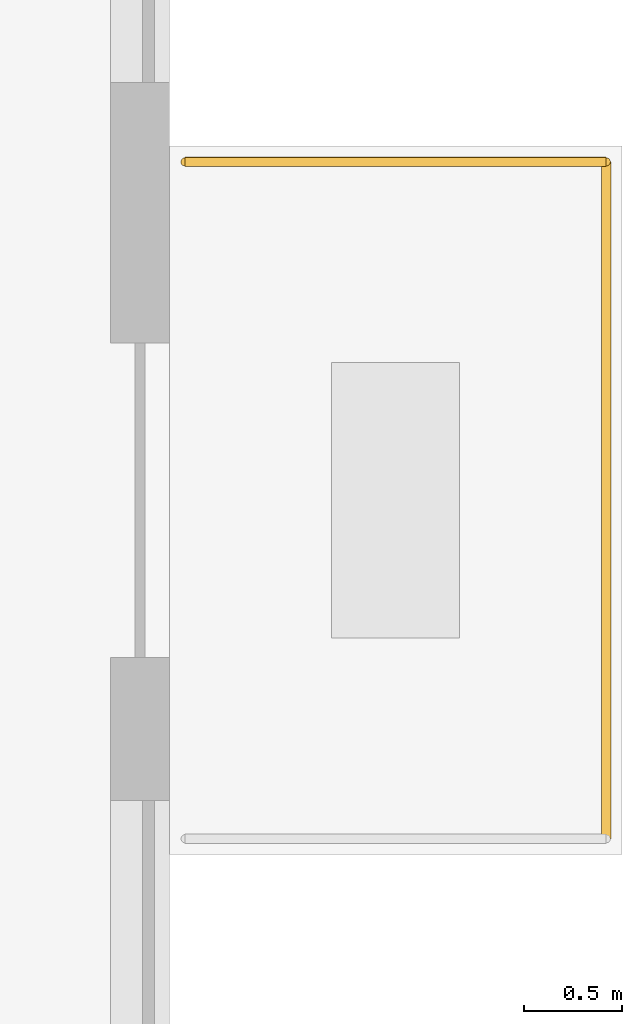
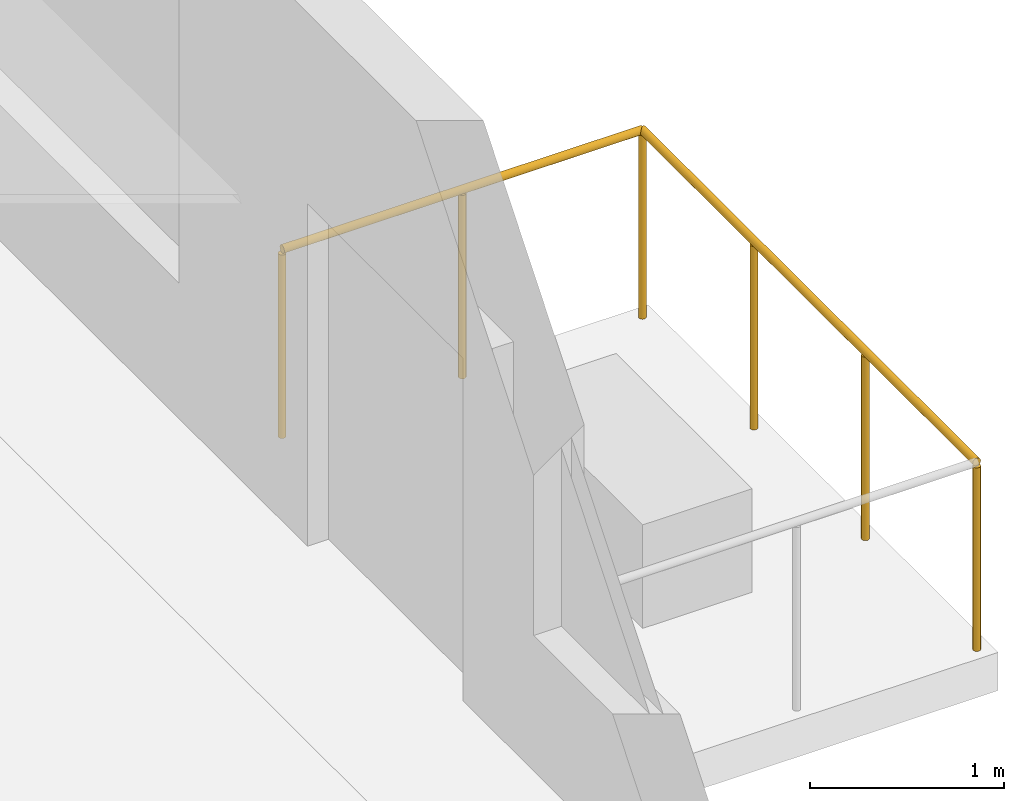
# One storey, part 14 of 14: 2 railings.
"""IFC4 building model written with IfcOpenShell, lengths in metres."""

from ifc_helpers import new_model, si_unit, direction, frame, origin, origin_2d, place, context, subcontext, project, spatial, circle, extrude, material, type_object, element, save


model = new_model("IFC4")

# Units and contexts
model_context = context("Model", 3, precision=1e-05, world=origin(), true_north=direction((0.0, 1.0)))
body_context = subcontext(model_context, "Body", "Model", "MODEL_VIEW")
ifc_project = project(units=[si_unit("LENGTHUNIT", "METRE"), si_unit("AREAUNIT", "SQUARE_METRE"), si_unit("VOLUMEUNIT", "CUBIC_METRE"), si_unit("PLANEANGLEUNIT", "RADIAN"), si_unit("MASSUNIT", "GRAM", prefix="KILO")], contexts=[model_context])

# Site, building, storey
site_placement = place(None, origin())
site = spatial("IfcSite", under=ifc_project, at=site_placement, CompositionType="ELEMENT")
building_placement = place(site_placement, origin())
building = spatial("IfcBuilding", under=site, at=building_placement, Name="Calvemar Wedge Station Tower", CompositionType="ELEMENT")
storey_placement = place(building_placement, frame((0.0, 0.0, 125.0)))
storey = spatial("IfcBuildingStorey", under=building, at=storey_placement, Name="L30", CompositionType="ELEMENT", Elevation=125.0)

# Railings
ifc_material = material(Name="Stainless steel AISI 316L", Category="steel")
railing_type = type_object("IfcRailingType", Name="GRD-TERR-1200", PredefinedType="GUARDRAIL", material=ifc_material)
railing_1_placement = place(storey_placement, frame((55.8798828125, 41.511962890625, 0.0)))
element("IfcRailing", 1, at=railing_1_placement, inside=storey, type_object=railing_type, Name="Storey L30 Spiral Terrace Guard 2", PredefinedType="GUARDRAIL", context=body_context, shape_type="SweptSolid", body=[
    extrude(circle(Radius=0.02392578125, at=origin_2d()), frame((0.0, 0.0, 1.17578125), z_axis=(1.0, 0.0, 0.0), x_axis=(0.0, 1.0, 0.0)), (0.0, 0.0, 1.0), 2.14013671875),
    extrude(circle(Radius=0.02099609375, at=origin_2d()), origin(), (0.0, 0.0, 1.0), 1.15185546875),
    extrude(circle(Radius=0.02099609375, at=origin_2d()), frame((1.070068359375, 0.0, 0.0)), (0.0, 0.0, 1.0), 1.15185546875),
    extrude(circle(Radius=0.02099609375, at=origin_2d()), frame((2.14013671875, 0.0, 0.0)), (0.0, 0.0, 1.0), 1.15185546875),
])
railing_2_placement = place(storey_placement, frame((58.02001953125, 41.511962890625, 0.0)))
element("IfcRailing", 2, at=railing_2_placement, inside=storey, type_object=railing_type, Name="Storey L30 Spiral Terrace Guard 3", PredefinedType="GUARDRAIL", context=body_context, shape_type="SweptSolid", body=[
    extrude(circle(Radius=0.02392578125, at=origin_2d()), frame((0.0, 0.0, 1.17578125), z_axis=(0.0, -1.0, 0.0), x_axis=(1.0, 0.0, 0.0)), (0.0, 0.0, 1.0), 3.43994140625),
    extrude(circle(Radius=0.02099609375, at=origin_2d()), origin(), (0.0, 0.0, 1.0), 1.15185546875),
    extrude(circle(Radius=0.02099609375, at=origin_2d()), frame((0.0, -1.146728515625, 0.0)), (0.0, 0.0, 1.0), 1.15185546875),
    extrude(circle(Radius=0.02099609375, at=origin_2d()), frame((0.0, -2.293212890625, 0.0)), (0.0, 0.0, 1.0), 1.15185546875),
    extrude(circle(Radius=0.02099609375, at=origin_2d()), frame((0.0, -3.43994140625, 0.0)), (0.0, 0.0, 1.0), 1.15185546875),
])

save(model, "model.ifc")
